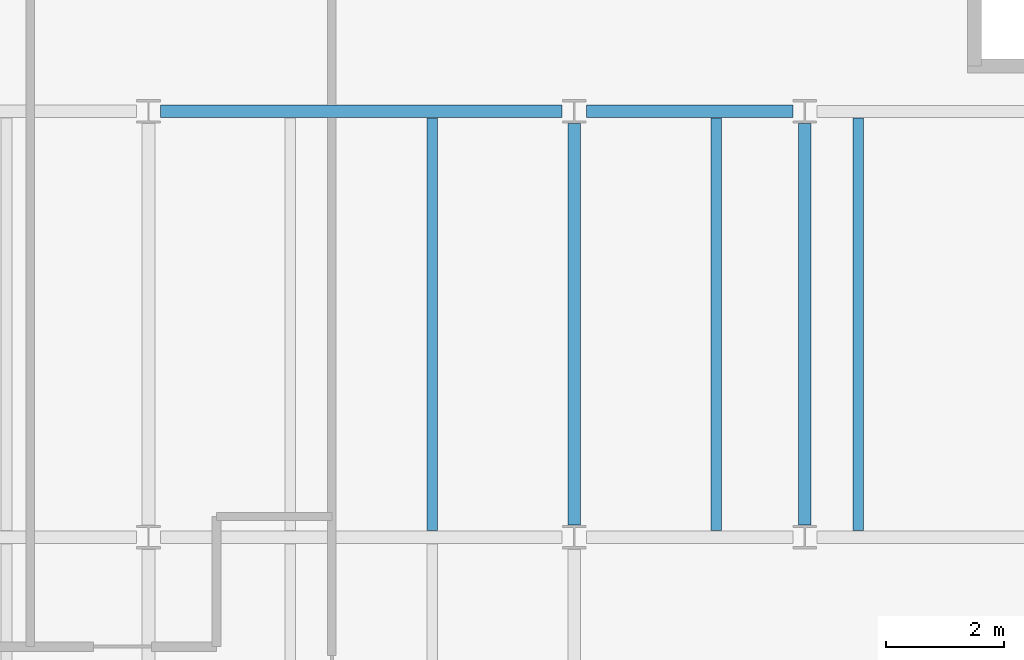
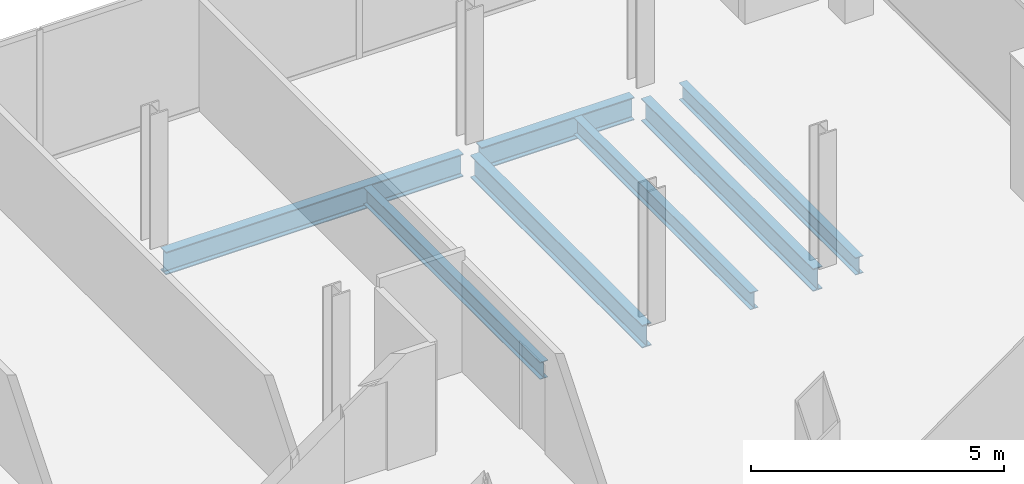
# One storey, part 15 of 24: 7 beams.
"""IFC4 building model written with IfcOpenShell, lengths in metres."""

from ifc_helpers import new_model, si_unit, direction, frame, origin, origin_2d, place, context, subcontext, project, spatial, i_section, extrude, material, material_profile, profile_set, type_object, element, save


model = new_model("IFC4")

# Units and contexts
model_context = context("Model", 3, precision=1e-05, world=origin(), true_north=direction((0.0, 1.0)))
body_context = subcontext(model_context, "Body", "Model", "MODEL_VIEW")
ifc_project = project(units=[si_unit("LENGTHUNIT", "METRE"), si_unit("AREAUNIT", "SQUARE_METRE"), si_unit("VOLUMEUNIT", "CUBIC_METRE"), si_unit("PLANEANGLEUNIT", "RADIAN"), si_unit("MASSUNIT", "GRAM", prefix="KILO")], contexts=[model_context])

# Site, building, storey
site_placement = place(None, origin())
site = spatial("IfcSite", under=ifc_project, at=site_placement, CompositionType="ELEMENT")
building_placement = place(site_placement, origin())
building = spatial("IfcBuilding", under=site, at=building_placement, Name="Cobrela Telecom Tower", CompositionType="ELEMENT")
storey_placement = place(building_placement, frame((0.0, 0.0, 290.14990234375)))
storey = spatial("IfcBuildingStorey", under=building, at=storey_placement, Name="L76", CompositionType="ELEMENT", Elevation=290.14990234375)

# Beams
ifc_material = material(Name="Steel ASTM A992 Grade 50", Category="steel")
ifc_material_profile_1 = material_profile(ifc_material, i_section(OverallWidth=0.212890625, OverallDepth=0.549072265625, WebThickness=0.0146484375, FlangeThickness=0.023681640625, FilletRadius=0.013916015625, at=origin_2d()), Name="W21X93")
ifc_profile_set_1 = profile_set([ifc_material_profile_1], Name="Steel ASTM A992 Grade 50")
beam_type_1 = type_object("IfcBeamType", Name="BM-GIRD-08", PredefinedType="USERDEFINED", material=ifc_profile_set_1)
beam_1_placement = place(storey_placement, frame((29.00439453125, 21.60009765625, -0.534423828125), z_axis=(1.0, 0.0, 0.0), x_axis=(0.0, 1.0, 0.0)))
element("IfcBeam", 1, at=beam_1_placement, inside=storey, type_object=beam_type_1, Name="L76 Primary Girder X12", ObjectType="GIRDER", PredefinedType="USERDEFINED", context=body_context, shape_type="SweptSolid", body=[
    extrude(i_section(OverallWidth=0.212890625, OverallDepth=0.549072265625, WebThickness=0.0146484375, FlangeThickness=0.023681640625, FilletRadius=0.013916015625, at=origin_2d()), origin(), (0.0, 0.0, 1.0), 6.791015625),
])
beam_2_placement = place(storey_placement, frame((36.20458984375, 21.60009765625, -0.534423828125), z_axis=(1.0, 0.0, 0.0), x_axis=(0.0, 1.0, 0.0)))
element("IfcBeam", 2, at=beam_2_placement, inside=storey, type_object=beam_type_1, Name="L76 Primary Girder X13", ObjectType="GIRDER", PredefinedType="USERDEFINED", context=body_context, shape_type="SweptSolid", body=[
    extrude(i_section(OverallWidth=0.212890625, OverallDepth=0.549072265625, WebThickness=0.0146484375, FlangeThickness=0.023681640625, FilletRadius=0.013916015625, at=origin_2d()), origin(), (0.0, 0.0, 1.0), 3.490966796875),
])
for number, where, z_axis, x_axis, name in (
    (3, (36.0, 14.6044921875, -0.534423828125), (0.0, 1.0, 0.0), (-1.0, 0.0, 0.0), "L76 Primary Girder Y32"),
    (4, (39.89990234375, 14.6044921875, -0.534423828125), (0.0, 1.0, 0.0), (-1.0, 0.0, 0.0), "L76 Primary Girder Y33"),
):
    element("IfcBeam", number, at=place(storey_placement, frame(where, z_axis=z_axis, x_axis=x_axis)), inside=storey, type_object=beam_type_1, Name=name, ObjectType="GIRDER", PredefinedType="USERDEFINED", context=body_context, shape_type="SweptSolid", body=[
        extrude(i_section(OverallWidth=0.212890625, OverallDepth=0.549072265625, WebThickness=0.0146484375, FlangeThickness=0.023681640625, FilletRadius=0.013916015625, at=origin_2d()), origin(), (0.0, 0.0, 1.0), 6.791015625),
    ])
ifc_material_profile_2 = material_profile(ifc_material, i_section(OverallWidth=0.179931640625, OverallDepth=0.4169921875, WebThickness=0.010986328125, FlangeThickness=0.01806640625, FilletRadius=0.011962890625, at=origin_2d()), Name="W16X57")
ifc_profile_set_2 = profile_set([ifc_material_profile_2], Name="Steel ASTM A992 Grade 50")
beam_type_2 = type_object("IfcBeamType", Name="BM-JOIST-04", PredefinedType="JOIST", material=ifc_profile_set_2)
for number, where, z_axis, x_axis, name in (
    (5, (33.60009765625, 14.511474609375, -0.468505859375), (0.0, 1.0, 0.0), (-1.0, 0.0, 0.0), "L76 Secondary Composite Floor Beam J14"),
    (6, (38.39990234375, 14.511474609375, -0.468505859375), (0.0, 1.0, 0.0), (-1.0, 0.0, 0.0), "L76 Secondary Composite Floor Beam J15"),
):
    element("IfcBeam", number, at=place(storey_placement, frame(where, z_axis=z_axis, x_axis=x_axis)), inside=storey, type_object=beam_type_2, Name=name, PredefinedType="JOIST", context=body_context, shape_type="SweptSolid", body=[
        extrude(i_section(OverallWidth=0.179931640625, OverallDepth=0.4169921875, WebThickness=0.010986328125, FlangeThickness=0.01806640625, FilletRadius=0.011962890625, at=origin_2d()), origin(), (0.0, 0.0, 1.0), 6.97705078125),
    ])
beam_3_placement = place(storey_placement, frame((40.800048828125, 14.511474609375, -0.468505859375), z_axis=(0.0, 1.0, 0.0), x_axis=(-1.0, 0.0, 0.0)))
element("IfcBeam", 7, at=beam_3_placement, inside=storey, type_object=beam_type_2, Name="L76 Secondary Composite Floor Beam J16", PredefinedType="JOIST", context=body_context, shape_type="SweptSolid", body=[
    extrude(i_section(OverallWidth=0.179931640625, OverallDepth=0.4169921875, WebThickness=0.010986328125, FlangeThickness=0.01806640625, FilletRadius=0.011962890625, at=origin_2d()), origin(), (0.0, 0.0, 1.0), 6.98095703125),
])

save(model, "model.ifc")
